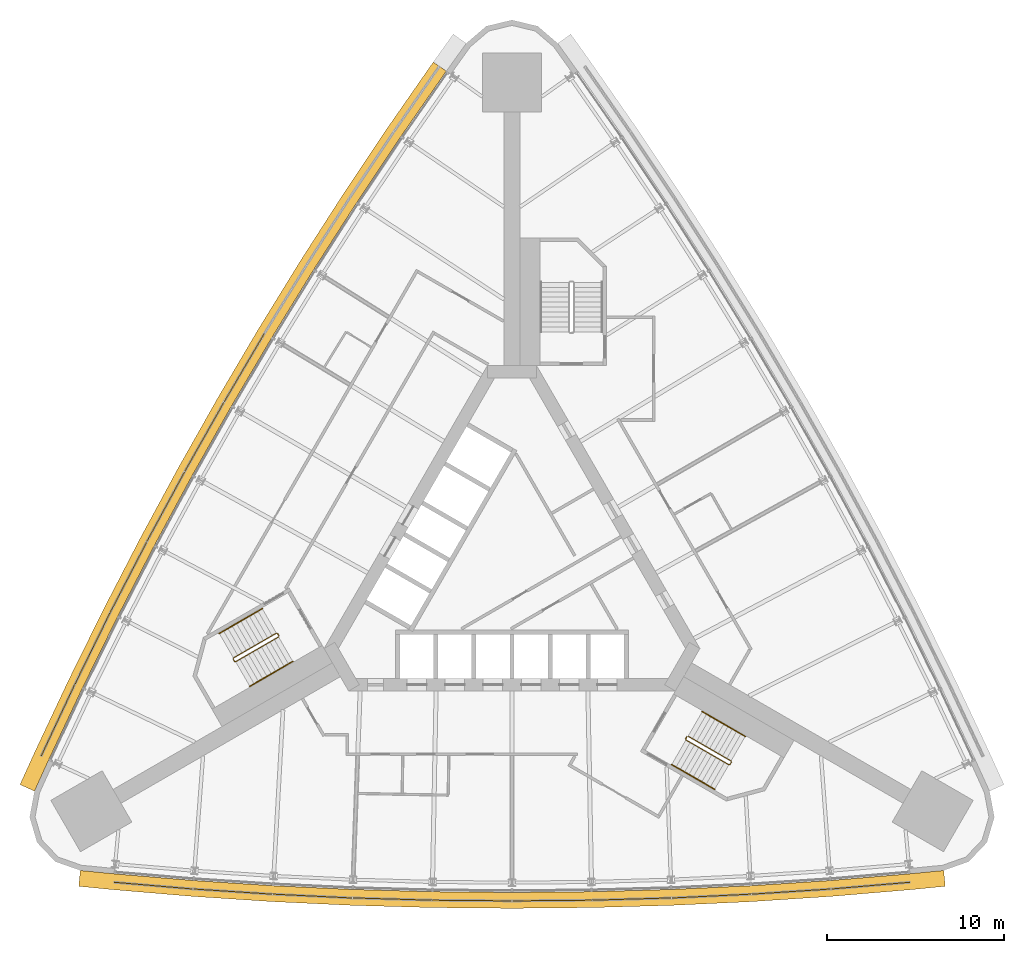
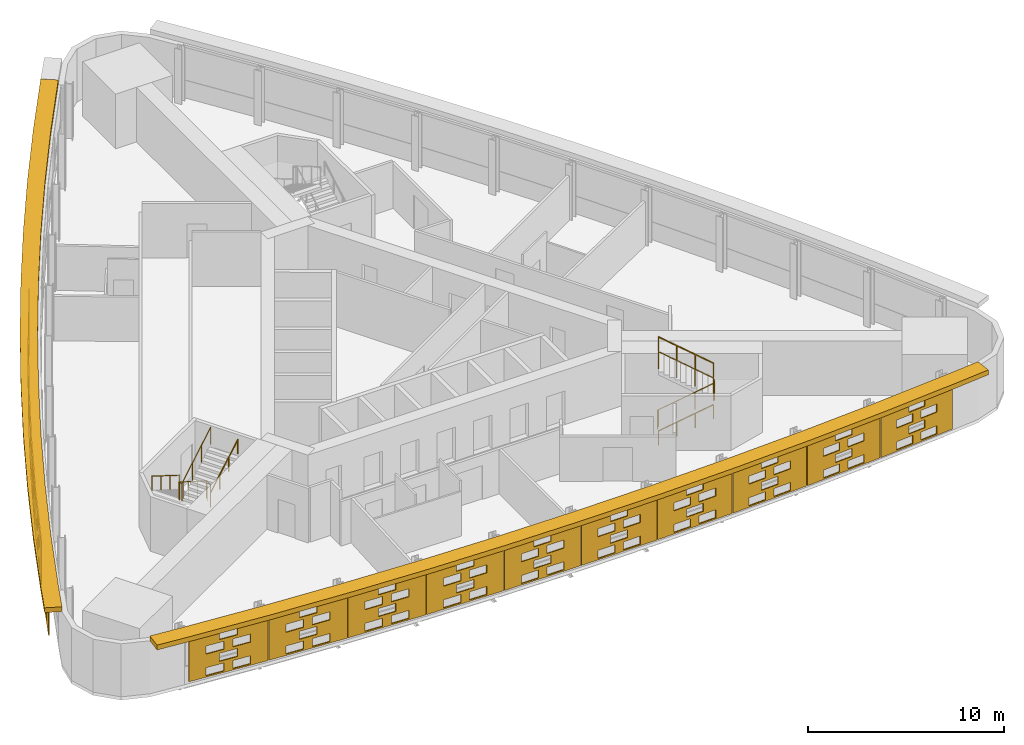
# One storey, part 13 of 14: 18 shading devices, 6 railings.
"""IFC4 building model written with IfcOpenShell, lengths in metres."""

from ifc_helpers import new_model, si_unit, direction, frame, origin, origin_2d, place, context, subcontext, project, spatial, polyline, circle, outline, extrude, material, material_profile, profile_set, type_object, element, save


model = new_model("IFC4")

# Units and contexts
model_context = context("Model", 3, precision=1e-05, world=origin(), true_north=direction((0.0, 1.0)))
body_context = subcontext(model_context, "Body", "Model", "MODEL_VIEW")
ifc_project = project(units=[si_unit("LENGTHUNIT", "METRE"), si_unit("AREAUNIT", "SQUARE_METRE"), si_unit("VOLUMEUNIT", "CUBIC_METRE"), si_unit("PLANEANGLEUNIT", "RADIAN"), si_unit("MASSUNIT", "GRAM", prefix="KILO")], contexts=[model_context])

# Site, building, storey
site_placement = place(None, origin())
site = spatial("IfcSite", under=ifc_project, at=site_placement, CompositionType="ELEMENT")
building_placement = place(site_placement, origin())
building = spatial("IfcBuilding", under=site, at=building_placement, Name="Noor Cloister Tower", CompositionType="ELEMENT")
storey_placement = place(building_placement, frame((0.0, 0.0, 38.39990234375)))
storey = spatial("IfcBuildingStorey", under=building, at=storey_placement, Name="L09", CompositionType="ELEMENT", Elevation=38.39990234375)

# Shading devices
ifc_material_1 = material(Name="Limestone", Category="masonry")
ifc_material_profile = material_profile(ifc_material_1, outline(polyline([(-2.22998046875, -1.35009765625), (2.22998046875, -1.35009765625), (2.22998046875, 1.35009765625), (-2.22998046875, 1.35009765625), (-2.22998046875, -1.35009765625)]), holes=[polyline([(-1.25, -1.263427734375), (-0.25, -1.263427734375), (-0.25, -0.76171875), (-1.25, -0.76171875), (-1.25, -1.263427734375)]), polyline([(0.25, -1.263427734375), (1.25, -1.263427734375), (1.25, -0.76171875), (0.25, -0.76171875), (0.25, -1.263427734375)]), polyline([(-0.5, -0.58837890625), (0.5, -0.58837890625), (0.5, -0.086669921875), (-0.5, -0.086669921875), (-0.5, -0.58837890625)]), polyline([(-1.25, 0.086669921875), (-0.25, 0.086669921875), (-0.25, 0.58837890625), (-1.25, 0.58837890625), (-1.25, 0.086669921875)]), polyline([(0.25, 0.086669921875), (1.25, 0.086669921875), (1.25, 0.58837890625), (0.25, 0.58837890625), (0.25, 0.086669921875)]), polyline([(-0.5, 0.76171875), (0.5, 0.76171875), (0.5, 1.263427734375), (-0.5, 1.263427734375), (-0.5, 0.76171875)])]), Name="Woven screen 25 percent open")
ifc_profile_set = profile_set([ifc_material_profile], Name="Limestone")
shading_device_type_1 = type_object("IfcShadingDeviceType", Name="SCREEN woven limestone 25 percent open", PredefinedType="USERDEFINED", material=ifc_profile_set)
shading_device_1_placement = place(storey_placement, frame((-15.0986328125, 11.320068359375, 1.85009765625), z_axis=(-0.862144217858, 0.506662952675, 0.0), x_axis=(-0.506662952675, -0.862144217858, 0.0)))
element("IfcShadingDevice", 1, at=shading_device_1_placement, inside=storey, type_object=shading_device_type_1, Name="SCREEN L09 5", ObjectType="SCREEN", PredefinedType="USERDEFINED", context=body_context, shape_type="SweptSolid", body=[
    extrude(outline(polyline([(-2.22998046875, -1.35009765625), (2.22998046875, -1.35009765625), (2.22998046875, 1.35009765625), (-2.22998046875, 1.35009765625), (-2.22998046875, -1.35009765625)]), holes=[polyline([(-1.25, -1.263427734375), (-0.25, -1.263427734375), (-0.25, -0.76171875), (-1.25, -0.76171875), (-1.25, -1.263427734375)]), polyline([(0.25, -1.263427734375), (1.25, -1.263427734375), (1.25, -0.76171875), (0.25, -0.76171875), (0.25, -1.263427734375)]), polyline([(-0.5, -0.58837890625), (0.5, -0.58837890625), (0.5, -0.086669921875), (-0.5, -0.086669921875), (-0.5, -0.58837890625)]), polyline([(-1.25, 0.086669921875), (-0.25, 0.086669921875), (-0.25, 0.58837890625), (-1.25, 0.58837890625), (-1.25, 0.086669921875)]), polyline([(0.25, 0.086669921875), (1.25, 0.086669921875), (1.25, 0.58837890625), (0.25, 0.58837890625), (0.25, 0.086669921875)]), polyline([(-0.5, 0.76171875), (0.5, 0.76171875), (0.5, 1.263427734375), (-0.5, 1.263427734375), (-0.5, 0.76171875)])]), origin(), (0.0, 0.0, 1.0), 0.059814453125),
])
for number, where, z_axis, x_axis, name in (
    (2, (-17.3525390625, 7.415771484375, 1.85009765625), (-0.87048706901, 0.492191286683, 0.0), (-0.492191286683, -0.87048706901, 0.0), "SCREEN L09 6"),
    (3, (-19.533203125, 3.469970703125, 1.85009765625), (-0.879291966537, 0.476283148541, 0.0), (-0.476283148541, -0.879291966537, 0.0), "SCREEN L09 7"),
    (4, (-21.6396484375, -0.515869140625, 1.85009765625), (-0.887816162103, 0.460198285861, 0.0), (-0.460198285861, -0.887816162103, 0.0), "SCREEN L09 8"),
):
    element("IfcShadingDevice", number, at=place(storey_placement, frame(where, z_axis=z_axis, x_axis=x_axis)), inside=storey, type_object=shading_device_type_1, Name=name, ObjectType="SCREEN", PredefinedType="USERDEFINED", context=body_context, shape_type="SweptSolid", body=[
        extrude(outline(polyline([(-2.22998046875, -1.35009765625), (2.22998046875, -1.35009765625), (2.22998046875, 1.35009765625), (-2.22998046875, 1.35009765625), (-2.22998046875, -1.35009765625)]), holes=[polyline([(-1.25, -1.263427734375), (-0.25, -1.263427734375), (-0.25, -0.76171875), (-1.25, -0.76171875), (-1.25, -1.263427734375)]), polyline([(0.25, -1.263427734375), (1.25, -1.263427734375), (1.25, -0.76171875), (0.25, -0.76171875), (0.25, -1.263427734375)]), polyline([(-0.5, -0.58837890625), (0.5, -0.58837890625), (0.5, -0.086669921875), (-0.5, -0.086669921875), (-0.5, -0.58837890625)]), polyline([(-1.25, 0.086669921875), (-0.25, 0.086669921875), (-0.25, 0.58837890625), (-1.25, 0.58837890625), (-1.25, 0.086669921875)]), polyline([(0.25, 0.086669921875), (1.25, 0.086669921875), (1.25, 0.58837890625), (0.25, 0.58837890625), (0.25, 0.086669921875)]), polyline([(-0.5, 0.76171875), (0.5, 0.76171875), (0.5, 1.263427734375), (-0.5, 1.263427734375), (-0.5, 0.76171875)])]), origin(), (0.0, 0.0, 1.0), 0.06005859375),
    ])
for number, where, z_axis, x_axis, name in (
    (5, (-23.6708984375, -4.540283203125, 1.85009765625), (-0.897667610562, 0.440673190639, 0.0), (-0.440673190639, -0.897667610562, 0.0), "SCREEN L09 9"),
    (6, (-25.62646484375, -8.602294921875, 1.85009765625), (-0.905556888257, 0.424224848553, 0.0), (-0.424224848553, -0.905556888257, 0.0), "SCREEN L09 10"),
):
    element("IfcShadingDevice", number, at=place(storey_placement, frame(where, z_axis=z_axis, x_axis=x_axis)), inside=storey, type_object=shading_device_type_1, Name=name, ObjectType="SCREEN", PredefinedType="USERDEFINED", context=body_context, shape_type="SweptSolid", body=[
        extrude(outline(polyline([(-2.22998046875, -1.35009765625), (2.22998046875, -1.35009765625), (2.22998046875, 1.35009765625), (-2.22998046875, 1.35009765625), (-2.22998046875, -1.35009765625)]), holes=[polyline([(-1.25, -1.263427734375), (-0.25, -1.263427734375), (-0.25, -0.76171875), (-1.25, -0.76171875), (-1.25, -1.263427734375)]), polyline([(0.25, -1.263427734375), (1.25, -1.263427734375), (1.25, -0.76171875), (0.25, -0.76171875), (0.25, -1.263427734375)]), polyline([(-0.5, -0.58837890625), (0.5, -0.58837890625), (0.5, -0.086669921875), (-0.5, -0.086669921875), (-0.5, -0.58837890625)]), polyline([(-1.25, 0.086669921875), (-0.25, 0.086669921875), (-0.25, 0.58837890625), (-1.25, 0.58837890625), (-1.25, 0.086669921875)]), polyline([(0.25, 0.086669921875), (1.25, 0.086669921875), (1.25, 0.58837890625), (0.25, 0.58837890625), (0.25, 0.086669921875)]), polyline([(-0.5, 0.76171875), (0.5, 0.76171875), (0.5, 1.263427734375), (-0.5, 1.263427734375), (-0.5, 0.76171875)])]), origin(), (0.0, 0.0, 1.0), 0.059814453125),
    ])
shading_device_2_placement = place(storey_placement, frame((-20.262939453125, -17.891845703125, 1.85009765625), z_axis=(-0.085401141346, -0.996346649042, 0.0), x_axis=(0.996346649042, -0.085401141346, 0.0)))
element("IfcShadingDevice", 7, at=shading_device_2_placement, inside=storey, type_object=shading_device_type_1, Name="SCREEN L09 1", ObjectType="SCREEN", PredefinedType="USERDEFINED", context=body_context, shape_type="SweptSolid", body=[
    extrude(outline(polyline([(-2.22998046875, -1.35009765625), (2.22998046875, -1.35009765625), (2.22998046875, 1.35009765625), (-2.22998046875, 1.35009765625), (-2.22998046875, -1.35009765625)]), holes=[polyline([(-1.25, -1.263427734375), (-0.25, -1.263427734375), (-0.25, -0.76171875), (-1.25, -0.76171875), (-1.25, -1.263427734375)]), polyline([(0.25, -1.263427734375), (1.25, -1.263427734375), (1.25, -0.76171875), (0.25, -0.76171875), (0.25, -1.263427734375)]), polyline([(-0.5, -0.58837890625), (0.5, -0.58837890625), (0.5, -0.086669921875), (-0.5, -0.086669921875), (-0.5, -0.58837890625)]), polyline([(-1.25, 0.086669921875), (-0.25, 0.086669921875), (-0.25, 0.58837890625), (-1.25, 0.58837890625), (-1.25, 0.086669921875)]), polyline([(0.25, 0.086669921875), (1.25, 0.086669921875), (1.25, 0.58837890625), (0.25, 0.58837890625), (0.25, 0.086669921875)]), polyline([(-0.5, 0.76171875), (0.5, 0.76171875), (0.5, 1.263427734375), (-0.5, 1.263427734375), (-0.5, 0.76171875)])]), origin(), (0.0, 0.0, 1.0), 0.06005859375),
])
shading_device_3_placement = place(storey_placement, frame((-15.767578125, -18.229248046875, 1.85009765625), z_axis=(-0.064903515062, -0.997891544073, 0.0), x_axis=(0.997891544073, -0.064903515062, 0.0)))
element("IfcShadingDevice", 8, at=shading_device_3_placement, inside=storey, type_object=shading_device_type_1, Name="SCREEN L09 2", ObjectType="SCREEN", PredefinedType="USERDEFINED", context=body_context, shape_type="SweptSolid", body=[
    extrude(outline(polyline([(-2.22998046875, -1.35009765625), (2.22998046875, -1.35009765625), (2.22998046875, 1.35009765625), (-2.22998046875, 1.35009765625), (-2.22998046875, -1.35009765625)]), holes=[polyline([(-1.25, -1.263427734375), (-0.25, -1.263427734375), (-0.25, -0.76171875), (-1.25, -0.76171875), (-1.25, -1.263427734375)]), polyline([(0.25, -1.263427734375), (1.25, -1.263427734375), (1.25, -0.76171875), (0.25, -0.76171875), (0.25, -1.263427734375)]), polyline([(-0.5, -0.58837890625), (0.5, -0.58837890625), (0.5, -0.086669921875), (-0.5, -0.086669921875), (-0.5, -0.58837890625)]), polyline([(-1.25, 0.086669921875), (-0.25, 0.086669921875), (-0.25, 0.58837890625), (-1.25, 0.58837890625), (-1.25, 0.086669921875)]), polyline([(0.25, 0.086669921875), (1.25, 0.086669921875), (1.25, 0.58837890625), (0.25, 0.58837890625), (0.25, 0.086669921875)]), polyline([(-0.5, 0.76171875), (0.5, 0.76171875), (0.5, 1.263427734375), (-0.5, 1.263427734375), (-0.5, 0.76171875)])]), origin(), (0.0, 0.0, 1.0), 0.060302734375),
])
shading_device_4_placement = place(storey_placement, frame((-11.266357421875, -18.482421875, 1.85009765625), z_axis=(-0.048722553713, -0.998812351125, 0.0), x_axis=(0.998812351125, -0.048722553713, 0.0)))
element("IfcShadingDevice", 9, at=shading_device_4_placement, inside=storey, type_object=shading_device_type_1, Name="SCREEN L09 3", ObjectType="SCREEN", PredefinedType="USERDEFINED", context=body_context, shape_type="SweptSolid", body=[
    extrude(outline(polyline([(-2.22998046875, -1.35009765625), (2.22998046875, -1.35009765625), (2.22998046875, 1.35009765625), (-2.22998046875, 1.35009765625), (-2.22998046875, -1.35009765625)]), holes=[polyline([(-1.25, -1.263427734375), (-0.25, -1.263427734375), (-0.25, -0.76171875), (-1.25, -0.76171875), (-1.25, -1.263427734375)]), polyline([(0.25, -1.263427734375), (1.25, -1.263427734375), (1.25, -0.76171875), (0.25, -0.76171875), (0.25, -1.263427734375)]), polyline([(-0.5, -0.58837890625), (0.5, -0.58837890625), (0.5, -0.086669921875), (-0.5, -0.086669921875), (-0.5, -0.58837890625)]), polyline([(-1.25, 0.086669921875), (-0.25, 0.086669921875), (-0.25, 0.58837890625), (-1.25, 0.58837890625), (-1.25, 0.086669921875)]), polyline([(0.25, 0.086669921875), (1.25, 0.086669921875), (1.25, 0.58837890625), (0.25, 0.58837890625), (0.25, 0.086669921875)]), polyline([(-0.5, 0.76171875), (0.5, 0.76171875), (0.5, 1.263427734375), (-0.5, 1.263427734375), (-0.5, 0.76171875)])]), origin(), (0.0, 0.0, 1.0), 0.06005859375),
])
for number, where, z_axis, x_axis, name in (
    (10, (-6.761474609375, -18.6513671875, 1.85009765625), (-0.028559773899, -0.999592086461, 0.0), (0.999592086461, -0.028559773899, 0.0), "SCREEN L09 4"),
    (11, (-2.254150390625, -18.73583984375, 1.85009765625), (-0.008162993324, -0.999966682215, 0.0), (0.999966682215, -0.008162993324, 0.0), "SCREEN L09 5"),
    (12, (2.254150390625, -18.73583984375, 1.85009765625), (0.008162993324, -0.999966682215, 0.0), (0.999966682215, 0.008162993324, 0.0), "SCREEN L09 6"),
    (13, (6.761474609375, -18.6513671875, 1.85009765625), (0.028559773899, -0.999592086461, 0.0), (0.999592086461, 0.028559773899, 0.0), "SCREEN L09 7"),
):
    element("IfcShadingDevice", number, at=place(storey_placement, frame(where, z_axis=z_axis, x_axis=x_axis)), inside=storey, type_object=shading_device_type_1, Name=name, ObjectType="SCREEN", PredefinedType="USERDEFINED", context=body_context, shape_type="SweptSolid", body=[
        extrude(outline(polyline([(-2.22998046875, -1.35009765625), (2.22998046875, -1.35009765625), (2.22998046875, 1.35009765625), (-2.22998046875, 1.35009765625), (-2.22998046875, -1.35009765625)]), holes=[polyline([(-1.25, -1.263427734375), (-0.25, -1.263427734375), (-0.25, -0.76171875), (-1.25, -0.76171875), (-1.25, -1.263427734375)]), polyline([(0.25, -1.263427734375), (1.25, -1.263427734375), (1.25, -0.76171875), (0.25, -0.76171875), (0.25, -1.263427734375)]), polyline([(-0.5, -0.58837890625), (0.5, -0.58837890625), (0.5, -0.086669921875), (-0.5, -0.086669921875), (-0.5, -0.58837890625)]), polyline([(-1.25, 0.086669921875), (-0.25, 0.086669921875), (-0.25, 0.58837890625), (-1.25, 0.58837890625), (-1.25, 0.086669921875)]), polyline([(0.25, 0.086669921875), (1.25, 0.086669921875), (1.25, 0.58837890625), (0.25, 0.58837890625), (0.25, 0.086669921875)]), polyline([(-0.5, 0.76171875), (0.5, 0.76171875), (0.5, 1.263427734375), (-0.5, 1.263427734375), (-0.5, 0.76171875)])]), origin(), (0.0, 0.0, 1.0), 0.059814453125),
    ])
shading_device_5_placement = place(storey_placement, frame((11.266357421875, -18.482421875, 1.85009765625), z_axis=(0.048722553713, -0.998812351125, 0.0), x_axis=(0.998812351125, 0.048722553713, 0.0)))
element("IfcShadingDevice", 14, at=shading_device_5_placement, inside=storey, type_object=shading_device_type_1, Name="SCREEN L09 8", ObjectType="SCREEN", PredefinedType="USERDEFINED", context=body_context, shape_type="SweptSolid", body=[
    extrude(outline(polyline([(-2.22998046875, -1.35009765625), (2.22998046875, -1.35009765625), (2.22998046875, 1.35009765625), (-2.22998046875, 1.35009765625), (-2.22998046875, -1.35009765625)]), holes=[polyline([(-1.25, -1.263427734375), (-0.25, -1.263427734375), (-0.25, -0.76171875), (-1.25, -0.76171875), (-1.25, -1.263427734375)]), polyline([(0.25, -1.263427734375), (1.25, -1.263427734375), (1.25, -0.76171875), (0.25, -0.76171875), (0.25, -1.263427734375)]), polyline([(-0.5, -0.58837890625), (0.5, -0.58837890625), (0.5, -0.086669921875), (-0.5, -0.086669921875), (-0.5, -0.58837890625)]), polyline([(-1.25, 0.086669921875), (-0.25, 0.086669921875), (-0.25, 0.58837890625), (-1.25, 0.58837890625), (-1.25, 0.086669921875)]), polyline([(0.25, 0.086669921875), (1.25, 0.086669921875), (1.25, 0.58837890625), (0.25, 0.58837890625), (0.25, 0.086669921875)]), polyline([(-0.5, 0.76171875), (0.5, 0.76171875), (0.5, 1.263427734375), (-0.5, 1.263427734375), (-0.5, 0.76171875)])]), origin(), (0.0, 0.0, 1.0), 0.06005859375),
])
shading_device_6_placement = place(storey_placement, frame((15.767578125, -18.229248046875, 1.85009765625), z_axis=(0.064903515062, -0.997891544073, 0.0), x_axis=(0.997891544073, 0.064903515062, 0.0)))
element("IfcShadingDevice", 15, at=shading_device_6_placement, inside=storey, type_object=shading_device_type_1, Name="SCREEN L09 9", ObjectType="SCREEN", PredefinedType="USERDEFINED", context=body_context, shape_type="SweptSolid", body=[
    extrude(outline(polyline([(-2.22998046875, -1.35009765625), (2.22998046875, -1.35009765625), (2.22998046875, 1.35009765625), (-2.22998046875, 1.35009765625), (-2.22998046875, -1.35009765625)]), holes=[polyline([(-1.25, -1.263427734375), (-0.25, -1.263427734375), (-0.25, -0.76171875), (-1.25, -0.76171875), (-1.25, -1.263427734375)]), polyline([(0.25, -1.263427734375), (1.25, -1.263427734375), (1.25, -0.76171875), (0.25, -0.76171875), (0.25, -1.263427734375)]), polyline([(-0.5, -0.58837890625), (0.5, -0.58837890625), (0.5, -0.086669921875), (-0.5, -0.086669921875), (-0.5, -0.58837890625)]), polyline([(-1.25, 0.086669921875), (-0.25, 0.086669921875), (-0.25, 0.58837890625), (-1.25, 0.58837890625), (-1.25, 0.086669921875)]), polyline([(0.25, 0.086669921875), (1.25, 0.086669921875), (1.25, 0.58837890625), (0.25, 0.58837890625), (0.25, 0.086669921875)]), polyline([(-0.5, 0.76171875), (0.5, 0.76171875), (0.5, 1.263427734375), (-0.5, 1.263427734375), (-0.5, 0.76171875)])]), origin(), (0.0, 0.0, 1.0), 0.060302734375),
])
shading_device_7_placement = place(storey_placement, frame((20.262939453125, -17.891845703125, 1.85009765625), z_axis=(0.085401141346, -0.996346649042, 0.0), x_axis=(0.996346649042, 0.085401141346, 0.0)))
element("IfcShadingDevice", 16, at=shading_device_7_placement, inside=storey, type_object=shading_device_type_1, Name="SCREEN L09 10", ObjectType="SCREEN", PredefinedType="USERDEFINED", context=body_context, shape_type="SweptSolid", body=[
    extrude(outline(polyline([(-2.22998046875, -1.35009765625), (2.22998046875, -1.35009765625), (2.22998046875, 1.35009765625), (-2.22998046875, 1.35009765625), (-2.22998046875, -1.35009765625)]), holes=[polyline([(-1.25, -1.263427734375), (-0.25, -1.263427734375), (-0.25, -0.76171875), (-1.25, -0.76171875), (-1.25, -1.263427734375)]), polyline([(0.25, -1.263427734375), (1.25, -1.263427734375), (1.25, -0.76171875), (0.25, -0.76171875), (0.25, -1.263427734375)]), polyline([(-0.5, -0.58837890625), (0.5, -0.58837890625), (0.5, -0.086669921875), (-0.5, -0.086669921875), (-0.5, -0.58837890625)]), polyline([(-1.25, 0.086669921875), (-0.25, 0.086669921875), (-0.25, 0.58837890625), (-1.25, 0.58837890625), (-1.25, 0.086669921875)]), polyline([(0.25, 0.086669921875), (1.25, 0.086669921875), (1.25, 0.58837890625), (0.25, 0.58837890625), (0.25, 0.086669921875)]), polyline([(-0.5, 0.76171875), (0.5, 0.76171875), (0.5, 1.263427734375), (-0.5, 1.263427734375), (-0.5, 0.76171875)])]), origin(), (0.0, 0.0, 1.0), 0.06005859375),
])
ifc_material_2 = material(Name="Limestone", Category="masonry")
shading_device_type_2 = type_object("IfcShadingDeviceType", Name="SUNSHADE limestone band 900", PredefinedType="USERDEFINED", material=ifc_material_2)
shading_device_8_placement = place(storey_placement, frame((0.0, 0.0, 3.300048828125)))
element("IfcShadingDevice", 17, at=shading_device_8_placement, inside=storey, type_object=shading_device_type_2, Name="SUNSHADE L09 1", ObjectType="SUNSHADE", PredefinedType="USERDEFINED", context=body_context, shape_type="SweptSolid", body=[
    extrude(outline(polyline([(-4.44775390625, 28.59814453125), (-7.0224609375, 24.8974609375), (-9.5322265625, 21.14208984375), (-11.971435546875, 17.34033203125), (-14.338623046875, 13.49365234375), (-16.633544921875, 9.603515625), (-18.855224609375, 5.6708984375), (-21.0029296875, 1.697265625), (-23.07568359375, -2.31591796875), (-25.072998046875, -6.366943359375), (-26.9931640625, -10.45263671875), (-27.79248046875, -12.21435546875), (-26.972900390625, -12.586181640625), (-26.176025390625, -10.830078125), (-24.26220703125, -6.75732421875), (-22.272216796875, -2.721435546875), (-20.207275390625, 1.27685546875), (-18.067626953125, 5.2353515625), (-15.854248046875, 9.1533203125), (-13.56787109375, 13.029296875), (-11.209228515625, 16.861572265625), (-8.779296875, 20.64892578125), (-6.279052734375, 24.390380859375), (-3.708984375, 28.084228515625), (-4.44775390625, 28.59814453125)])), origin(), (0.0, 0.0, 1.0), 0.300048828125),
])
shading_device_9_placement = place(storey_placement, frame((0.0, 0.0, 3.300048828125)))
element("IfcShadingDevice", 18, at=shading_device_9_placement, inside=storey, type_object=shading_device_type_2, Name="SUNSHADE L09 2", ObjectType="SUNSHADE", PredefinedType="USERDEFINED", context=body_context, shape_type="SweptSolid", body=[
    extrude(outline(polyline([(-24.47412109375, -17.9619140625), (-22.548828125, -18.150390625), (-18.050537109375, -18.530517578125), (-13.54345703125, -18.826416015625), (-9.031494140625, -19.03759765625), (-4.5166015625, -19.16455078125), (0.0, -19.206787109375), (4.5166015625, -19.16455078125), (9.031494140625, -19.03759765625), (13.54345703125, -18.826416015625), (18.050537109375, -18.530517578125), (22.548828125, -18.150390625), (24.47412109375, -17.9619140625), (24.386474609375, -17.066162109375), (22.467041015625, -17.254150390625), (17.983154296875, -17.633056640625), (13.492919921875, -17.927734375), (8.997802734375, -18.13818359375), (4.499755859375, -18.2646484375), (0.0, -18.306884765625), (-4.499755859375, -18.2646484375), (-8.997802734375, -18.13818359375), (-13.492919921875, -17.927734375), (-17.983154296875, -17.633056640625), (-22.467041015625, -17.254150390625), (-24.386474609375, -17.066162109375), (-24.47412109375, -17.9619140625)])), origin(), (0.0, 0.0, 1.0), 0.300048828125),
])

# Railings
ifc_material_3 = material(Name="Stainless steel", Category="steel")
railing_type_1 = type_object("IfcRailingType", Name="Stair guard 1100", PredefinedType="GUARDRAIL", material=ifc_material_3)
railing_1_placement = place(storey_placement, frame((-13.241455078125, -3.677734375, 0.0)))
element("IfcRailing", 19, at=railing_1_placement, inside=storey, type_object=railing_type_1, Name="Stair guard ST2 L09", PredefinedType="GUARDRAIL", context=body_context, shape_type="SweptSolid", body=[
    extrude(circle(Radius=0.02392578125, at=origin_2d()), frame((0.0, 0.0, 1.076171875), z_axis=(0.499112439033, -0.866537231285, 0.0), x_axis=(0.866537231285, 0.499112439033, 0.0)), (0.0, 0.0, 1.0), 0.150146484375),
    extrude(circle(Radius=0.02392578125, at=origin_2d()), frame((0.074951171875, -0.130126953125, 1.076171875), z_axis=(-0.544251820729, 0.562795323991, 0.622134534428), x_axis=(-0.718850276695, -0.695164929852, 0.0)), (0.0, 0.0, 1.0), 0.263427734375),
    extrude(circle(Radius=0.02392578125, at=origin_2d()), frame((-0.068359375, 0.01806640625, 1.23974609375), z_axis=(-0.74771821388, -0.431677027627, 0.504551698492), x_axis=(0.49998411664, -0.866034573852, 0.0)), (0.0, 0.0, 1.0), 3.242919921875),
    extrude(circle(Radius=0.02392578125, at=origin_2d()), frame((-2.4931640625, -1.3818359375, 2.8759765625), z_axis=(-0.258736085224, -0.965948051503, 0.0), x_axis=(0.965948051503, -0.258736085224, 0.0)), (0.0, 0.0, 1.0), 0.07080078125),
    extrude(circle(Radius=0.02392578125, at=origin_2d()), frame((-2.511474609375, -1.4501953125, 2.8759765625), z_axis=(0.499816412211, -0.866131372301, 0.0), x_axis=(0.866131372301, 0.499816412211, 0.0)), (0.0, 0.0, 1.0), 0.14990234375),
    extrude(circle(Radius=0.02392578125, at=origin_2d()), frame((-2.4365234375, -1.580078125, 2.8759765625), z_axis=(0.383552647116, -0.102737316192, 0.917786691313), x_axis=(0.258736085224, 0.965948051503, 0.0)), (0.0, 0.0, 1.0), 0.17822265625),
    extrude(circle(Radius=0.02392578125, at=origin_2d()), frame((-2.3681640625, -1.598388671875, 3.03955078125), z_axis=(0.747665513933, 0.431721881032, 0.504591415616), x_axis=(-0.500049511043, 0.865996816683, 0.0)), (0.0, 0.0, 1.0), 3.2431640625),
    extrude(circle(Radius=0.02099609375, at=origin_2d()), origin(), (0.0, 0.0, 1.0), 1.052001953125),
    extrude(circle(Radius=0.02099609375, at=origin_2d()), frame((0.074951171875, -0.130126953125, 0.0)), (0.0, 0.0, 1.0), 1.052001953125),
    extrude(circle(Radius=0.02099609375, at=origin_2d()), frame((-0.068359375, 0.01806640625, 0.163818359375)), (0.0, 0.0, 1.0), 1.052001953125),
    extrude(circle(Radius=0.02099609375, at=origin_2d()), frame((-0.876708984375, -0.448486328125, 0.709228515625)), (0.0, 0.0, 1.0), 1.052001953125),
    extrude(circle(Radius=0.02099609375, at=origin_2d()), frame((-1.684814453125, -0.915283203125, 1.254638671875)), (0.0, 0.0, 1.0), 1.052001953125),
    extrude(circle(Radius=0.02099609375, at=origin_2d()), frame((-2.4931640625, -1.3818359375, 1.800048828125)), (0.0, 0.0, 1.0), 1.052001953125),
    extrude(circle(Radius=0.02099609375, at=origin_2d()), frame((-2.511474609375, -1.4501953125, 1.800048828125)), (0.0, 0.0, 1.0), 1.052001953125),
    extrude(circle(Radius=0.02099609375, at=origin_2d()), frame((-2.4365234375, -1.580078125, 1.800048828125)), (0.0, 0.0, 1.0), 1.052001953125),
    extrude(circle(Radius=0.02099609375, at=origin_2d()), frame((-2.3681640625, -1.598388671875, 1.963623046875)), (0.0, 0.0, 1.0), 1.052001953125),
    extrude(circle(Radius=0.02099609375, at=origin_2d()), frame((-1.559814453125, -1.131591796875, 2.509033203125)), (0.0, 0.0, 1.0), 1.052001953125),
    extrude(circle(Radius=0.02099609375, at=origin_2d()), frame((-0.751708984375, -0.6650390625, 3.0546875)), (0.0, 0.0, 1.0), 1.052001953125),
    extrude(circle(Radius=0.02099609375, at=origin_2d()), frame((0.056640625, -0.1982421875, 3.60009765625)), (0.0, 0.0, 1.0), 1.052001953125),
])
railing_2_placement = place(storey_placement, frame((9.805908203125, -9.628662109375, 0.0)))
element("IfcRailing", 20, at=railing_2_placement, inside=storey, type_object=railing_type_1, Name="Stair guard ST3 L09", PredefinedType="GUARDRAIL", context=body_context, shape_type="SweptSolid", body=[
    extrude(circle(Radius=0.02392578125, at=origin_2d()), frame((0.0, 0.0, 1.076171875), z_axis=(0.499112439033, 0.866537231285, 0.0), x_axis=(-0.866537231285, 0.499112439033, 0.0)), (0.0, 0.0, 1.0), 0.150146484375),
    extrude(circle(Radius=0.02392578125, at=origin_2d()), frame((0.074951171875, 0.130126953125, 1.076171875), z_axis=(-0.215090770512, -0.752817696793, 0.622094426784), x_axis=(0.961523947641, -0.274721127897, 0.0)), (0.0, 0.0, 1.0), 0.263427734375),
    extrude(circle(Radius=0.02392578125, at=origin_2d()), frame((0.018310546875, -0.068115234375, 1.23974609375), z_axis=(0.747693913401, -0.431738279637, 0.504535300807), x_axis=(0.500049511043, 0.865996816683, 0.0)), (0.0, 0.0, 1.0), 3.2431640625),
    extrude(circle(Radius=0.02392578125, at=origin_2d()), frame((2.443115234375, -1.46826171875, 2.8759765625), z_axis=(0.965948051503, 0.258736085224, 0.0), x_axis=(-0.258736085224, 0.965948051503, 0.0)), (0.0, 0.0, 1.0), 0.07080078125),
    extrude(circle(Radius=0.02392578125, at=origin_2d()), frame((2.511474609375, -1.449951171875, 2.8759765625), z_axis=(0.499816412211, 0.866131372301, 0.0), x_axis=(-0.866131372301, 0.499816412211, 0.0)), (0.0, 0.0, 1.0), 0.14990234375),
    extrude(circle(Radius=0.02392578125, at=origin_2d()), frame((2.58642578125, -1.320068359375, 2.8759765625), z_axis=(-0.102737316192, 0.383552647116, 0.917786691313), x_axis=(-0.965948051503, -0.258736085224, 0.0)), (0.0, 0.0, 1.0), 0.17822265625),
    extrude(circle(Radius=0.02392578125, at=origin_2d()), frame((2.568115234375, -1.251708984375, 3.03955078125), z_axis=(-0.747689811644, 0.431660630283, 0.504607813879), x_axis=(-0.49998411664, -0.866034573852, 0.0)), (0.0, 0.0, 1.0), 3.2431640625),
    extrude(circle(Radius=0.02099609375, at=origin_2d()), origin(), (0.0, 0.0, 1.0), 1.052001953125),
    extrude(circle(Radius=0.02099609375, at=origin_2d()), frame((0.074951171875, 0.130126953125, 0.0)), (0.0, 0.0, 1.0), 1.052001953125),
    extrude(circle(Radius=0.02099609375, at=origin_2d()), frame((0.018310546875, -0.068115234375, 0.163818359375)), (0.0, 0.0, 1.0), 1.052001953125),
    extrude(circle(Radius=0.02099609375, at=origin_2d()), frame((0.82666015625, -0.534912109375, 0.709228515625)), (0.0, 0.0, 1.0), 1.052001953125),
    extrude(circle(Radius=0.02099609375, at=origin_2d()), frame((1.634765625, -1.00146484375, 1.254638671875)), (0.0, 0.0, 1.0), 1.052001953125),
    extrude(circle(Radius=0.02099609375, at=origin_2d()), frame((2.443115234375, -1.46826171875, 1.800048828125)), (0.0, 0.0, 1.0), 1.052001953125),
    extrude(circle(Radius=0.02099609375, at=origin_2d()), frame((2.511474609375, -1.449951171875, 1.800048828125)), (0.0, 0.0, 1.0), 1.052001953125),
    extrude(circle(Radius=0.02099609375, at=origin_2d()), frame((2.58642578125, -1.320068359375, 1.800048828125)), (0.0, 0.0, 1.0), 1.052001953125),
    extrude(circle(Radius=0.02099609375, at=origin_2d()), frame((2.568115234375, -1.251708984375, 1.963623046875)), (0.0, 0.0, 1.0), 1.052001953125),
    extrude(circle(Radius=0.02099609375, at=origin_2d()), frame((1.759765625, -0.78515625, 2.509033203125)), (0.0, 0.0, 1.0), 1.052001953125),
    extrude(circle(Radius=0.02099609375, at=origin_2d()), frame((0.95166015625, -0.318359375, 3.0546875)), (0.0, 0.0, 1.0), 1.052001953125),
    extrude(circle(Radius=0.02099609375, at=origin_2d()), frame((0.143310546875, 0.148193359375, 3.60009765625)), (0.0, 0.0, 1.0), 1.052001953125),
])
ifc_material_4 = material(Name="Stainless steel", Category="steel")
railing_type_2 = type_object("IfcRailingType", Name="Stair handrail 900", PredefinedType="HANDRAIL", material=ifc_material_4)
railing_3_placement = place(storey_placement, frame((-14.10986328125, -2.27392578125, 0.163818359375)))
element("IfcRailing", 21, at=railing_3_placement, inside=storey, type_object=railing_type_2, Name="Stair handrail ST2 L09 1", PredefinedType="HANDRAIL", context=body_context, shape_type="SweptSolid", body=[
    extrude(circle(Radius=0.02392578125, at=origin_2d()), frame((0.0, 0.0, 0.8759765625), z_axis=(-0.74771821388, -0.431677027627, 0.504551698492), x_axis=(0.49998411664, -0.866034573852, 0.0)), (0.0, 0.0, 1.0), 3.242919921875),
    extrude(circle(Radius=0.02099609375, at=origin_2d()), origin(), (0.0, 0.0, 1.0), 0.851806640625),
    extrude(circle(Radius=0.02099609375, at=origin_2d()), frame((-0.808349609375, -0.466552734375, 0.54541015625)), (0.0, 0.0, 1.0), 0.851806640625),
    extrude(circle(Radius=0.02099609375, at=origin_2d()), frame((-1.616455078125, -0.933349609375, 1.0908203125)), (0.0, 0.0, 1.0), 0.851806640625),
    extrude(circle(Radius=0.02099609375, at=origin_2d()), frame((-2.4248046875, -1.39990234375, 1.63623046875)), (0.0, 0.0, 1.0), 0.851806640625),
])
railing_4_placement = place(storey_placement, frame((-14.8095703125, -6.66162109375, 1.963623046875)))
element("IfcRailing", 22, at=railing_4_placement, inside=storey, type_object=railing_type_2, Name="Stair handrail ST2 L09 2", PredefinedType="HANDRAIL", context=body_context, shape_type="SweptSolid", body=[
    extrude(circle(Radius=0.02392578125, at=origin_2d()), frame((0.0, 0.0, 0.8759765625), z_axis=(0.747689811644, 0.431660630283, 0.504607813879), x_axis=(-0.49998411664, 0.866034573852, 0.0)), (0.0, 0.0, 1.0), 3.2431640625),
    extrude(circle(Radius=0.02099609375, at=origin_2d()), origin(), (0.0, 0.0, 1.0), 0.851806640625),
    extrude(circle(Radius=0.02099609375, at=origin_2d()), frame((0.808349609375, 0.466552734375, 0.54541015625)), (0.0, 0.0, 1.0), 0.851806640625),
    extrude(circle(Radius=0.02099609375, at=origin_2d()), frame((1.616455078125, 0.933349609375, 1.091064453125)), (0.0, 0.0, 1.0), 0.851806640625),
    extrude(circle(Radius=0.02099609375, at=origin_2d()), frame((2.4248046875, 1.39990234375, 1.636474609375)), (0.0, 0.0, 1.0), 0.851806640625),
])
railing_5_placement = place(storey_placement, frame((9.024169921875, -11.08251953125, 0.163818359375)))
element("IfcRailing", 23, at=railing_5_placement, inside=storey, type_object=railing_type_2, Name="Stair handrail ST3 L09 1", PredefinedType="HANDRAIL", context=body_context, shape_type="SweptSolid", body=[
    extrude(circle(Radius=0.02392578125, at=origin_2d()), frame((0.0, 0.0, 0.8759765625), z_axis=(0.74771821388, -0.431677027627, 0.504551698492), x_axis=(0.49998411664, 0.866034573852, 0.0)), (0.0, 0.0, 1.0), 3.242919921875),
    extrude(circle(Radius=0.02099609375, at=origin_2d()), origin(), (0.0, 0.0, 1.0), 0.851806640625),
    extrude(circle(Radius=0.02099609375, at=origin_2d()), frame((0.808349609375, -0.466552734375, 0.54541015625)), (0.0, 0.0, 1.0), 0.851806640625),
    extrude(circle(Radius=0.02099609375, at=origin_2d()), frame((1.616455078125, -0.933349609375, 1.0908203125)), (0.0, 0.0, 1.0), 0.851806640625),
    extrude(circle(Radius=0.02099609375, at=origin_2d()), frame((2.4248046875, -1.39990234375, 1.63623046875)), (0.0, 0.0, 1.0), 0.851806640625),
])
railing_6_placement = place(storey_placement, frame((13.174072265625, -9.49462890625, 1.963623046875)))
element("IfcRailing", 24, at=railing_6_placement, inside=storey, type_object=railing_type_2, Name="Stair handrail ST3 L09 2", PredefinedType="HANDRAIL", context=body_context, shape_type="SweptSolid", body=[
    extrude(circle(Radius=0.02392578125, at=origin_2d()), frame((0.0, 0.0, 0.8759765625), z_axis=(-0.747689811644, 0.431660630283, 0.504607813879), x_axis=(-0.49998411664, -0.866034573852, 0.0)), (0.0, 0.0, 1.0), 3.2431640625),
    extrude(circle(Radius=0.02099609375, at=origin_2d()), origin(), (0.0, 0.0, 1.0), 0.851806640625),
    extrude(circle(Radius=0.02099609375, at=origin_2d()), frame((-0.808349609375, 0.466552734375, 0.54541015625)), (0.0, 0.0, 1.0), 0.851806640625),
    extrude(circle(Radius=0.02099609375, at=origin_2d()), frame((-1.616455078125, 0.933349609375, 1.091064453125)), (0.0, 0.0, 1.0), 0.851806640625),
    extrude(circle(Radius=0.02099609375, at=origin_2d()), frame((-2.4248046875, 1.39990234375, 1.636474609375)), (0.0, 0.0, 1.0), 0.851806640625),
])

save(model, "model.ifc")
